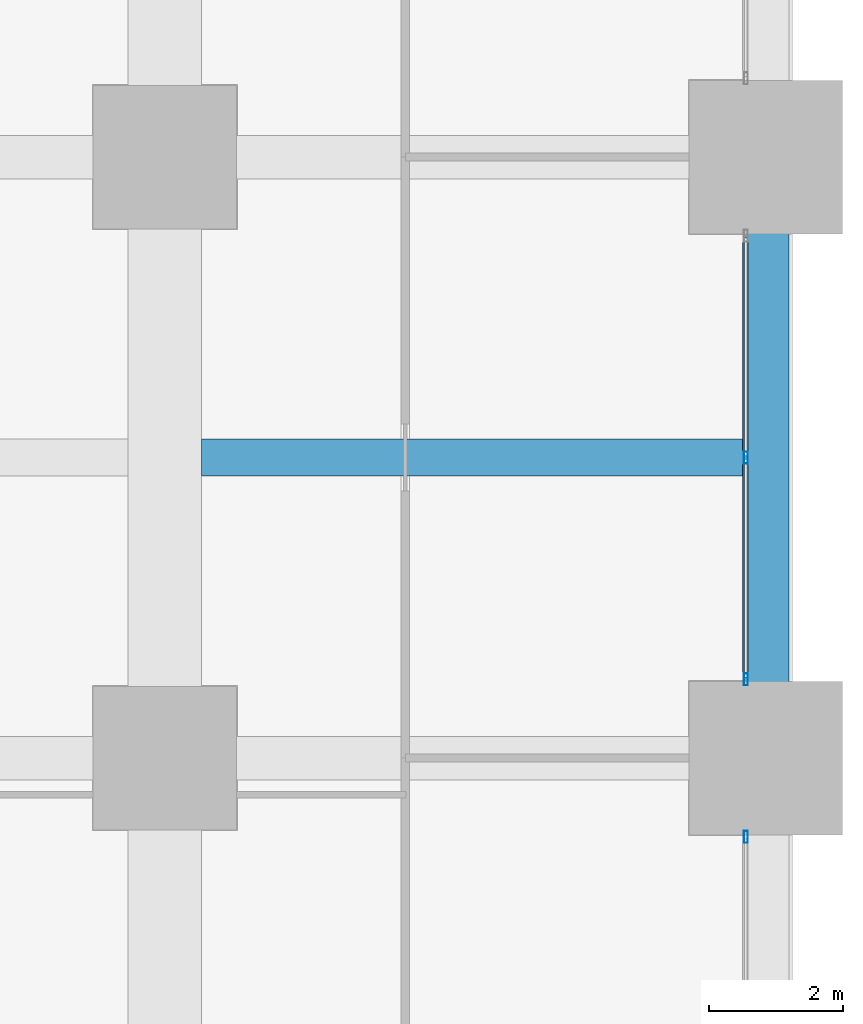
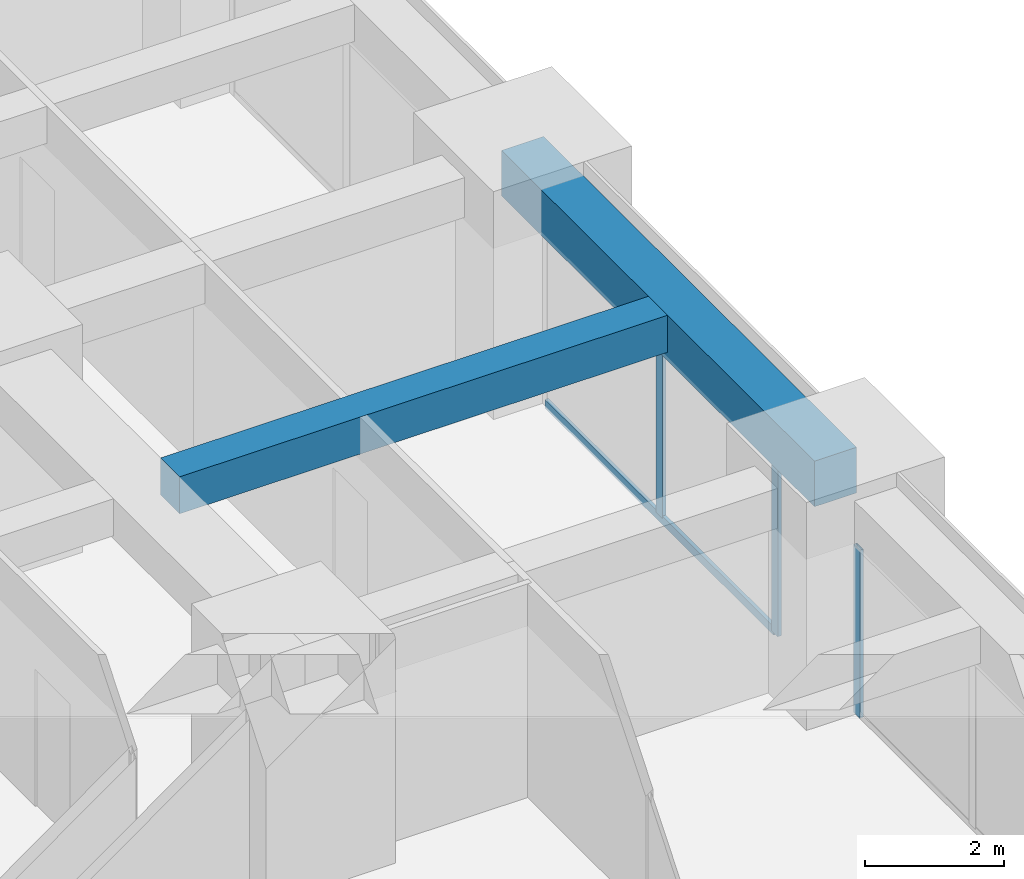
# One storey, part 20 of 44: 4 members, 2 beams, 2 elements without a shape of their own.
"""IFC4 building model written with IfcOpenShell, lengths in metres."""

from ifc_helpers import new_model, si_unit, direction, frame, origin, origin_2d, place, context, subcontext, project, spatial, rectangle, hollow_rectangle, extrude, material, material_profile, profile_set, type_object, element, aggregate, save


model = new_model("IFC4")

# Units and contexts
model_context = context("Model", 3, precision=1e-05, world=origin(), true_north=direction((0.0, 1.0)))
body_context = subcontext(model_context, "Body", "Model", "MODEL_VIEW")
ifc_project = project(units=[si_unit("LENGTHUNIT", "METRE"), si_unit("AREAUNIT", "SQUARE_METRE"), si_unit("VOLUMEUNIT", "CUBIC_METRE"), si_unit("PLANEANGLEUNIT", "RADIAN"), si_unit("MASSUNIT", "GRAM", prefix="KILO")], contexts=[model_context])

# Site, building, storey
site_placement = place(None, origin())
site = spatial("IfcSite", under=ifc_project, at=site_placement, CompositionType="ELEMENT")
building_placement = place(site_placement, origin())
building = spatial("IfcBuilding", under=site, at=building_placement, Name="Zorevar Civic Tower", CompositionType="ELEMENT")
storey_placement = place(building_placement, frame((0.0, 0.0, 51.800048828125)))
storey = spatial("IfcBuildingStorey", under=building, at=storey_placement, Name="L12", CompositionType="ELEMENT", Elevation=51.800048828125)

# Beam
ifc_material_1 = material(Name="Concrete C50/60", Category="concrete")
ifc_material_profile_1 = material_profile(ifc_material_1, rectangle(XDim=0.550048828125, YDim=0.64990234375, at=origin_2d()), Name="RC 550x650")
ifc_profile_set_1 = profile_set([ifc_material_profile_1], Name="Concrete C50/60")
beam_type_1 = type_object("IfcBeamType", Name="Beam RC 550x650", PredefinedType="BEAM", material=ifc_profile_set_1)
beam_1_placement = place(storey_placement, frame((54.550048828125, 22.5, 3.425048828125), z_axis=(1.0, 0.0, 0.0), x_axis=(0.0, 1.0, 0.0)))
element("IfcBeam", 1, at=beam_1_placement, inside=storey, type_object=beam_type_1, Name="Secondary beam L13", PredefinedType="BEAM", context=body_context, shape_type="SweptSolid", body=[
    extrude(rectangle(XDim=0.550048828125, YDim=0.64990234375, at=origin_2d()), origin(), (0.0, 0.0, 1.0), 8.099853515625),
])

# Curtain wall, member
ifc_material_2 = material(Name="Dark grey solar-control glass in black aluminium frame", Category="aluminium")
curtain_wall_type = type_object("IfcCurtainWallType", Name="Curtain wall CW2 low zone", PredefinedType="NOTDEFINED", material=ifc_material_2)
curtain_wall_1_placement = place(storey_placement, origin())
curtain_wall_1 = element("IfcCurtainWall", 2, at=curtain_wall_1_placement, inside=storey, type_object=curtain_wall_type, Name="CW2 L12", PredefinedType="NOTDEFINED")
ifc_material_3 = material(Name="Aluminium, black anodised", Category="aluminium")
ifc_material_profile_2 = material_profile(ifc_material_3, hollow_rectangle(XDim=0.06005859375, YDim=0.179931640625, WallThickness=0.00390625, at=origin_2d()), Name="AL 180x60x4")
ifc_profile_set_2 = profile_set([ifc_material_profile_2], Name="Aluminium, black anodised")
member_type_1 = type_object("IfcMemberType", Name="CW2 mullion AL 180x60x4", PredefinedType="MULLION", material=ifc_profile_set_2)
member_1_placement = place(storey_placement, frame((62.699951171875, 16.820068359375, 0.0), z_axis=(0.0, 0.0, 1.0), x_axis=(-1.0, 0.0, 0.0)))
member_1 = element("IfcMember", 3, at=member_1_placement, type_object=member_type_1, Name="CW2 mullion 3", PredefinedType="MULLION", context=body_context, shape_type="SweptSolid", body=[
    extrude(hollow_rectangle(XDim=0.06005859375, YDim=0.179931640625, WallThickness=0.00390625, at=origin_2d()), origin(), (0.0, 0.0, 1.0), 2.949951171875),
])
aggregate(curtain_wall_1, [member_1])

# Curtain wall, members
curtain_wall_2_placement = place(storey_placement, origin())
curtain_wall_2 = element("IfcCurtainWall", 4, at=curtain_wall_2_placement, inside=storey, type_object=curtain_wall_type, Name="CW2 L12", PredefinedType="NOTDEFINED")
member_2_placement = place(storey_placement, frame((62.699951171875, 19.179931640625, 0.0), z_axis=(0.0, 0.0, 1.0), x_axis=(-1.0, 0.0, 0.0)))
member_2 = element("IfcMember", 5, at=member_2_placement, type_object=member_type_1, Name="CW2 mullion 1", PredefinedType="MULLION", context=body_context, shape_type="SweptSolid", body=[
    extrude(hollow_rectangle(XDim=0.06005859375, YDim=0.179931640625, WallThickness=0.00390625, at=origin_2d()), origin(), (0.0, 0.0, 1.0), 2.949951171875),
])
member_3_placement = place(storey_placement, frame((62.699951171875, 22.5, 0.06005859375), z_axis=(0.0, 0.0, 1.0), x_axis=(-1.0, 0.0, 0.0)))
member_3 = element("IfcMember", 6, at=member_3_placement, type_object=member_type_1, Name="CW2 mullion 2", PredefinedType="MULLION", context=body_context, shape_type="SweptSolid", body=[
    extrude(hollow_rectangle(XDim=0.06005859375, YDim=0.179931640625, WallThickness=0.00390625, at=origin_2d()), origin(), (0.0, 0.0, 1.0), 2.889892578125),
])
ifc_material_4 = material(Name="Aluminium, black anodised", Category="aluminium")
ifc_material_profile_3 = material_profile(ifc_material_4, hollow_rectangle(XDim=0.06005859375, YDim=0.14990234375, WallThickness=0.00390625, at=origin_2d()), Name="AL 150x60x4")
ifc_profile_set_3 = profile_set([ifc_material_profile_3], Name="Aluminium, black anodised")
member_type_2 = type_object("IfcMemberType", Name="CW2 transom AL 150x60x4", PredefinedType="USERDEFINED", material=ifc_profile_set_3)
member_4_placement = place(storey_placement, frame((62.699951171875, 19.2099609375, 0.030029296875), z_axis=(0.0, 1.0, 0.0), x_axis=(-1.0, 0.0, 0.0)))
member_4 = element("IfcMember", 7, at=member_4_placement, type_object=member_type_2, Name="CW2 sill transom", ObjectType="TRANSOM", PredefinedType="USERDEFINED", context=body_context, shape_type="SweptSolid", body=[
    extrude(hollow_rectangle(XDim=0.06005859375, YDim=0.14990234375, WallThickness=0.00390625, at=origin_2d()), origin(), (0.0, 0.0, 1.0), 6.580078125),
])
aggregate(curtain_wall_2, [member_2, member_3, member_4])

# Beam
ifc_material_5 = material(Name="Concrete C50/60", Category="concrete")
ifc_material_profile_4 = material_profile(ifc_material_5, rectangle(XDim=0.699951171875, YDim=0.800048828125, at=origin_2d()), Name="RC 700x800")
ifc_profile_set_4 = profile_set([ifc_material_profile_4], Name="Concrete C50/60")
beam_type_2 = type_object("IfcBeamType", Name="Edge beam RC 700x800", PredefinedType="SPANDREL", material=ifc_profile_set_4)
beam_2_placement = place(storey_placement, frame((63.0, 18.0, 3.349853515625), z_axis=(0.0, 1.0, 0.0), x_axis=(-1.0, 0.0, 0.0)))
element("IfcBeam", 8, at=beam_2_placement, inside=storey, type_object=beam_type_2, Name="Edge beam L13", PredefinedType="SPANDREL", context=body_context, shape_type="SweptSolid", body=[
    extrude(rectangle(XDim=0.699951171875, YDim=0.800048828125, at=origin_2d()), origin(), (0.0, 0.0, 1.0), 9.0),
])

save(model, "model.ifc")
